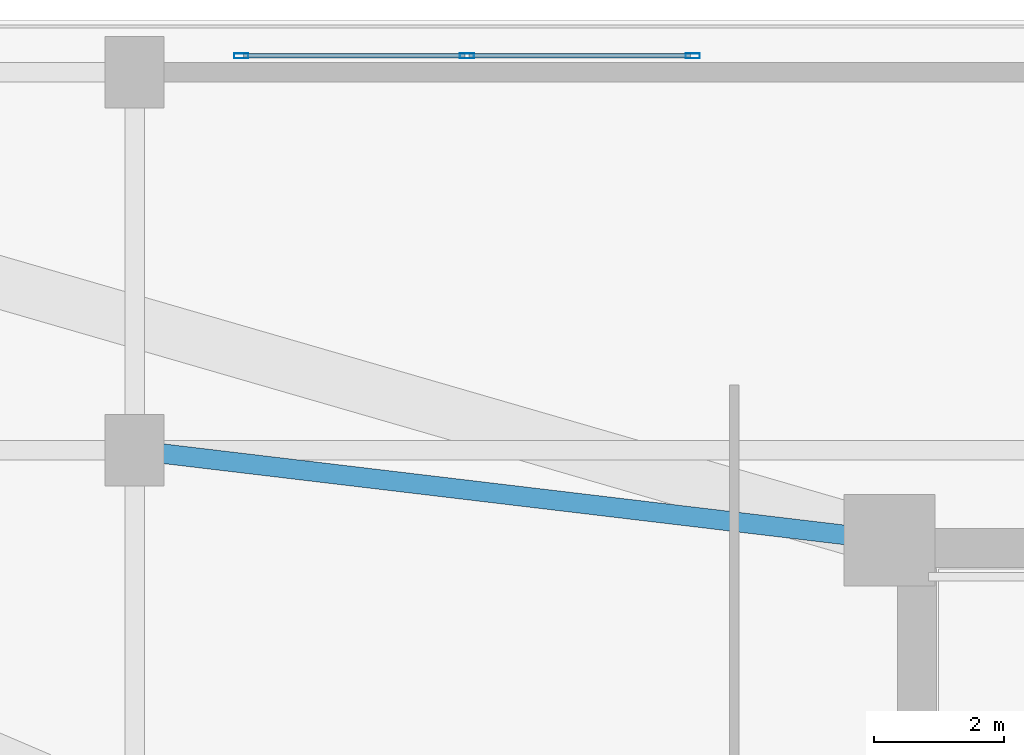
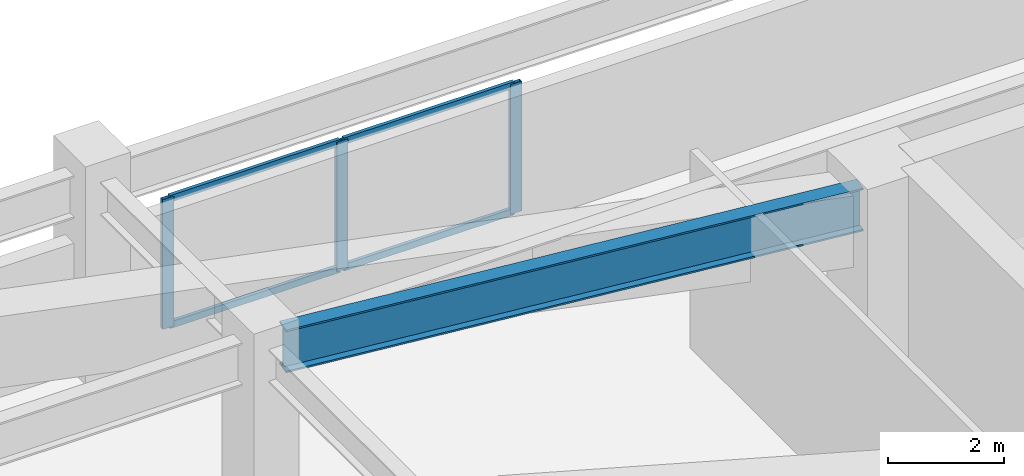
# One storey, part 2 of 9: 7 members, 1 beam, 1 element without a shape of its own.
"""IFC4 building model written with IfcOpenShell, lengths in metres."""

from ifc_helpers import new_model, si_unit, direction, frame, origin, origin_2d, place, context, subcontext, project, spatial, hollow_rectangle, i_section, extrude, material, layer, layer_set, material_profile, profile_set, type_object, element, aggregate, save


model = new_model("IFC4")

# Units and contexts
model_context = context("Model", 3, precision=1e-05, world=origin(), true_north=direction((0.0, 1.0)))
body_context = subcontext(model_context, "Body", "Model", "MODEL_VIEW")
ifc_project = project(units=[si_unit("LENGTHUNIT", "METRE"), si_unit("AREAUNIT", "SQUARE_METRE"), si_unit("VOLUMEUNIT", "CUBIC_METRE"), si_unit("PLANEANGLEUNIT", "RADIAN"), si_unit("MASSUNIT", "GRAM", prefix="KILO")], contexts=[model_context])

# Site, building, storey
site_placement = place(None, origin())
site = spatial("IfcSite", under=ifc_project, at=site_placement, CompositionType="ELEMENT")
building_placement = place(site_placement, origin())
building = spatial("IfcBuilding", under=site, at=building_placement, Name="Varnakorn Sky Granary", CompositionType="ELEMENT")
storey_placement = place(building_placement, frame((0.0, 0.0, 23.0)))
storey = spatial("IfcBuildingStorey", under=building, at=storey_placement, Name="L05", CompositionType="ELEMENT", Elevation=23.0)

# Beam
ifc_material_1 = material(Name="Steel S355JR", Category="steel")
ifc_material_profile_1 = material_profile(ifc_material_1, i_section(OverallWidth=0.300048828125, OverallDepth=0.89990234375, WebThickness=0.0185546875, FlangeThickness=0.034912109375, at=origin_2d()), Name="HE 900 B")
ifc_profile_set_1 = profile_set([ifc_material_profile_1], Name="Steel S355JR")
beam_type = type_object("IfcBeamType", Name="BM-PG-900", PredefinedType="BEAM", material=ifc_profile_set_1)
beam_placement = place(storey_placement, frame((-13.5830078125, 13.9501953125, 3.699951171875), z_axis=(0.992975027395, -0.118324109839, 0.0), x_axis=(0.118324109839, 0.992975027395, 0.0)))
element("IfcBeam", 1, at=beam_placement, inside=storey, type_object=beam_type, Name="Podium Core Tie Girder 1 L05", PredefinedType="BEAM", context=body_context, shape_type="SweptSolid", body=[
    extrude(i_section(OverallWidth=0.300048828125, OverallDepth=0.89990234375, WebThickness=0.0185546875, FlangeThickness=0.034912109375, at=origin_2d()), origin(), (0.0, 0.0, 1.0), 10.822021484375),
])

# Curtain wall, members
ifc_material_2 = material(Name="Anodised Bronze Aluminium Alloy 6063-T6", Category="aluminium")
ifc_layer = layer(ifc_material_2, 0.2099609375, Name="Anodised Bronze Aluminium Alloy 6063-T6")
ifc_layer_set = layer_set([ifc_layer], Name="Anodised Bronze Aluminium Alloy 6063-T6")
curtain_wall_type = type_object("IfcCurtainWallType", Name="CW-POD-2", PredefinedType="USERDEFINED", material=ifc_layer_set)
curtain_wall_placement = place(storey_placement, origin())
curtain_wall = element("IfcCurtainWall", 2, at=curtain_wall_placement, inside=storey, type_object=curtain_wall_type, Name="Unitised Curtain Wall CW2 CW-L05-P1", ObjectType="CURTAIN WALL", PredefinedType="USERDEFINED")
ifc_material_profile_2 = material_profile(ifc_material_2, hollow_rectangle(XDim=0.074951171875, YDim=0.219970703125, WallThickness=0.00390625, at=origin_2d()), Name="ALU MULL 75x220")
ifc_profile_set_2 = profile_set([ifc_material_profile_2], Name="Anodised Bronze Aluminium Alloy 6063-T6")
member_type_1 = type_object("IfcMemberType", Name="CW-POD-2-MULL", PredefinedType="MULLION", material=ifc_profile_set_2)
member_1_placement = place(storey_placement, frame((-12.362548828125, 20.050048828125, 0.0), z_axis=(0.0, 0.0, 1.0), x_axis=(0.0, 1.0, 0.0)))
member_1 = element("IfcMember", 3, at=member_1_placement, type_object=member_type_1, Name="CW2 mullion 1", PredefinedType="MULLION", context=body_context, shape_type="SweptSolid", body=[
    extrude(hollow_rectangle(XDim=0.074951171875, YDim=0.219970703125, WallThickness=0.00390625, at=origin_2d()), origin(), (0.0, 0.0, 1.0), 2.72998046875),
])
member_2_placement = place(storey_placement, frame((-8.89990234375, 20.050048828125, 0.0), z_axis=(0.0, 0.0, 1.0), x_axis=(0.0, 1.0, 0.0)))
member_2 = element("IfcMember", 4, at=member_2_placement, type_object=member_type_1, Name="CW2 mullion 2", PredefinedType="MULLION", context=body_context, shape_type="SweptSolid", body=[
    extrude(hollow_rectangle(XDim=0.074951171875, YDim=0.219970703125, WallThickness=0.00390625, at=origin_2d()), origin(), (0.0, 0.0, 1.0), 2.72998046875),
])
member_3_placement = place(storey_placement, frame((-5.4375, 20.050048828125, 0.0), z_axis=(0.0, 0.0, 1.0), x_axis=(0.0, 1.0, 0.0)))
member_3 = element("IfcMember", 5, at=member_3_placement, type_object=member_type_1, Name="CW2 mullion 3", PredefinedType="MULLION", context=body_context, shape_type="SweptSolid", body=[
    extrude(hollow_rectangle(XDim=0.074951171875, YDim=0.219970703125, WallThickness=0.00390625, at=origin_2d()), origin(), (0.0, 0.0, 1.0), 2.72998046875),
])
ifc_material_profile_3 = material_profile(ifc_material_2, hollow_rectangle(XDim=0.070068359375, YDim=0.139892578125, WallThickness=0.00341796875, at=origin_2d()), Name="ALU TRAN 70x140")
ifc_profile_set_3 = profile_set([ifc_material_profile_3], Name="Anodised Bronze Aluminium Alloy 6063-T6")
member_type_2 = type_object("IfcMemberType", Name="CW-POD-2-TRAN", PredefinedType="USERDEFINED", material=ifc_profile_set_3)
member_4_placement = place(storey_placement, frame((-12.324951171875, 20.050048828125, 0.034912109375), z_axis=(1.0, 0.0, 0.0), x_axis=(0.0, 1.0, 0.0)))
member_4 = element("IfcMember", 6, at=member_4_placement, type_object=member_type_2, Name="CW2 transom 1.1", ObjectType="TRANSOM", PredefinedType="USERDEFINED", context=body_context, shape_type="SweptSolid", body=[
    extrude(hollow_rectangle(XDim=0.070068359375, YDim=0.139892578125, WallThickness=0.00341796875, at=origin_2d()), origin(), (0.0, 0.0, 1.0), 3.387451171875),
])
member_5_placement = place(storey_placement, frame((-12.324951171875, 20.050048828125, 2.695068359375), z_axis=(1.0, 0.0, 0.0), x_axis=(0.0, 1.0, 0.0)))
member_5 = element("IfcMember", 7, at=member_5_placement, type_object=member_type_2, Name="CW2 transom 1.2", ObjectType="TRANSOM", PredefinedType="USERDEFINED", context=body_context, shape_type="SweptSolid", body=[
    extrude(hollow_rectangle(XDim=0.070068359375, YDim=0.139892578125, WallThickness=0.00341796875, at=origin_2d()), origin(), (0.0, 0.0, 1.0), 3.387451171875),
])
member_6_placement = place(storey_placement, frame((-8.862548828125, 20.050048828125, 0.034912109375), z_axis=(1.0, 0.0, 0.0), x_axis=(0.0, 1.0, 0.0)))
member_6 = element("IfcMember", 8, at=member_6_placement, type_object=member_type_2, Name="CW2 transom 2.1", ObjectType="TRANSOM", PredefinedType="USERDEFINED", context=body_context, shape_type="SweptSolid", body=[
    extrude(hollow_rectangle(XDim=0.070068359375, YDim=0.139892578125, WallThickness=0.00341796875, at=origin_2d()), origin(), (0.0, 0.0, 1.0), 3.387451171875),
])
member_7_placement = place(storey_placement, frame((-8.862548828125, 20.050048828125, 2.695068359375), z_axis=(1.0, 0.0, 0.0), x_axis=(0.0, 1.0, 0.0)))
member_7 = element("IfcMember", 9, at=member_7_placement, type_object=member_type_2, Name="CW2 transom 2.2", ObjectType="TRANSOM", PredefinedType="USERDEFINED", context=body_context, shape_type="SweptSolid", body=[
    extrude(hollow_rectangle(XDim=0.070068359375, YDim=0.139892578125, WallThickness=0.00341796875, at=origin_2d()), origin(), (0.0, 0.0, 1.0), 3.387451171875),
])
aggregate(curtain_wall, [member_1, member_2, member_3, member_4, member_5, member_6, member_7])

save(model, "model.ifc")
